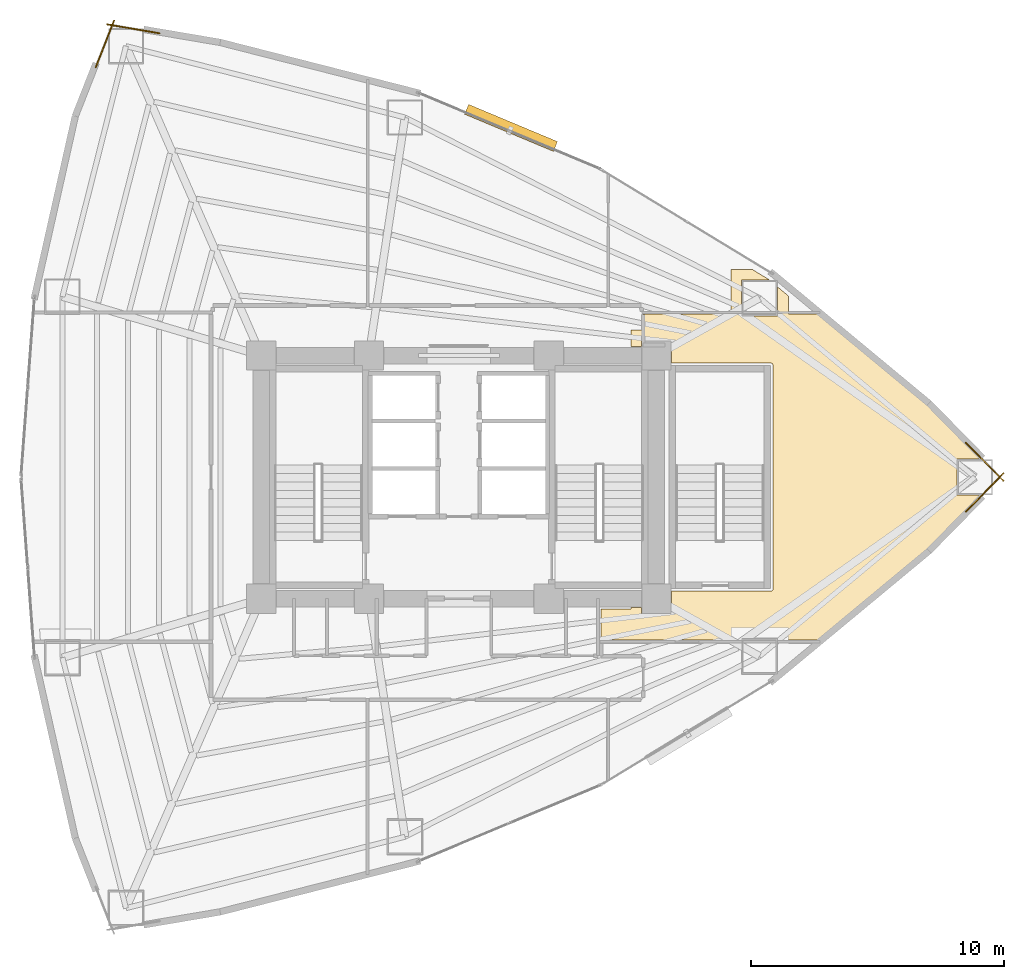
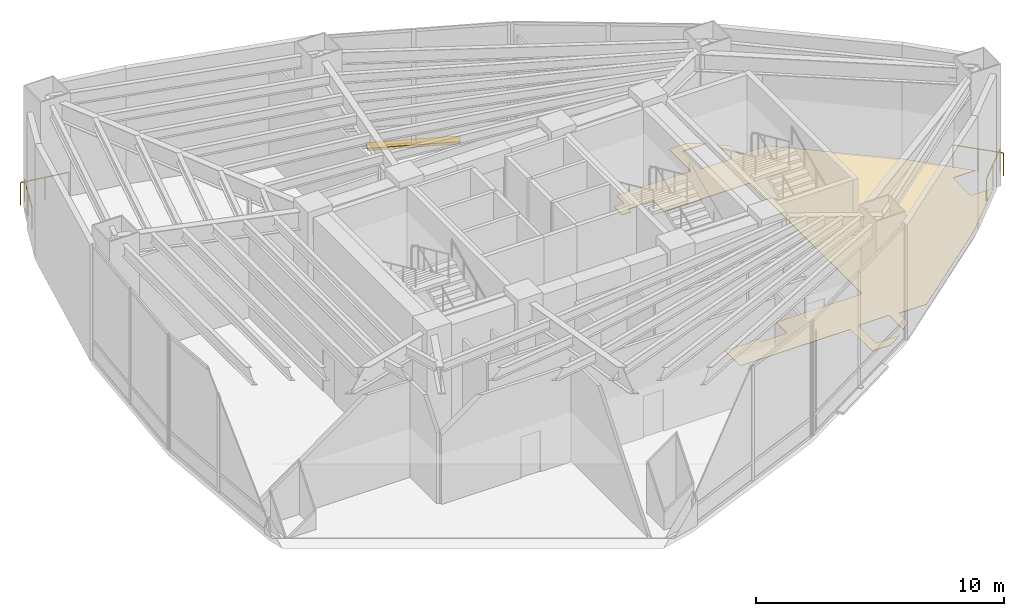
# One storey, part 19 of 19: 4 railings, 1 covering, 1 shading device.
"""IFC4 building model written with IfcOpenShell, lengths in metres."""

from ifc_helpers import new_model, si_unit, direction, frame, origin, origin_2d, place, context, subcontext, project, spatial, polyline, rectangle, circle, outline, extrude, material, layer, layer_set, type_object, element, save


model = new_model("IFC4")

# Units and contexts
model_context = context("Model", 3, precision=1e-05, world=origin(), true_north=direction((0.0, 1.0)))
body_context = subcontext(model_context, "Body", "Model", "MODEL_VIEW")
ifc_project = project(units=[si_unit("LENGTHUNIT", "METRE"), si_unit("AREAUNIT", "SQUARE_METRE"), si_unit("VOLUMEUNIT", "CUBIC_METRE"), si_unit("PLANEANGLEUNIT", "RADIAN"), si_unit("MASSUNIT", "GRAM", prefix="KILO")], contexts=[model_context])

# Site, building, storey
site_placement = place(None, origin())
site = spatial("IfcSite", under=ifc_project, at=site_placement, CompositionType="ELEMENT")
building_placement = place(site_placement, origin())
building = spatial("IfcBuilding", under=site, at=building_placement, Name="Menara Vayukalpa", CompositionType="ELEMENT")
storey_placement = place(building_placement, frame((0.0, 0.0, 12.0)))
storey = spatial("IfcBuildingStorey", under=building, at=storey_placement, Name="L02", CompositionType="ELEMENT", Elevation=12.0)

# Covering
ifc_material_1 = material(Name="Porcelain Stoneware Floor Tile", Category="masonry")
ifc_layer_1 = layer(ifc_material_1, 0.02001953125)
ifc_layer_set_1 = layer_set([ifc_layer_1], Name="Porcelain Stoneware Floor Tile")
covering_type = type_object("IfcCoveringType", Name="COV-FLR1", PredefinedType="FLOORING", material=ifc_layer_set_1)
covering_placement = place(storey_placement, origin())
element("IfcCovering", 1, at=covering_placement, inside=storey, type_object=covering_type, Name="L02 Podium Operations Support Suite Porcelain Flooring", PredefinedType="FLOORING", context=body_context, shape_type="SweptSolid", body=[
    extrude(outline(polyline([(31.218994140625, 15.56005859375), (31.218017578125, 15.560302734375), (31.217041015625, 15.560302734375), (31.21630859375, 15.560791015625), (31.21533203125, 15.561279296875), (31.21435546875, 15.561767578125), (31.213623046875, 15.562255859375), (31.212890625, 15.56298828125), (31.21240234375, 15.563720703125), (31.211669921875, 15.564453125), (31.211181640625, 15.565185546875), (31.210693359375, 15.566162109375), (31.21044921875, 15.567138671875), (31.210205078125, 15.568115234375), (31.2099609375, 15.569091796875), (31.2099609375, 15.570068359375), (31.2099609375, 16.780029296875), (31.2099609375, 16.781005859375), (31.210205078125, 16.781982421875), (31.21044921875, 16.782958984375), (31.210693359375, 16.78369140625), (31.211181640625, 16.78466796875), (31.211669921875, 16.78564453125), (31.21240234375, 16.786376953125), (31.212890625, 16.787109375), (31.213623046875, 16.78759765625), (31.21435546875, 16.788330078125), (31.21533203125, 16.788818359375), (31.21630859375, 16.789306640625), (31.217041015625, 16.78955078125), (31.218017578125, 16.789794921875), (31.218994140625, 16.7900390625), (31.219970703125, 16.7900390625), (32.389892578125, 16.7900390625), (32.389892578125, 16.85009765625), (32.81005859375, 16.85009765625), (32.81005859375, 16.610107421875), (33.989990234375, 16.610107421875), (33.989990234375, 17.5), (37.9296875, 17.5), (37.936767578125, 17.50048828125), (37.943603515625, 17.501220703125), (37.9501953125, 17.5029296875), (37.956787109375, 17.50537109375), (37.962890625, 17.50830078125), (37.96875, 17.51171875), (37.974609375, 17.51611328125), (37.9794921875, 17.5205078125), (37.98388671875, 17.525390625), (37.98828125, 17.53125), (37.99169921875, 17.537109375), (37.99462890625, 17.543212890625), (37.9970703125, 17.5498046875), (37.998779296875, 17.556396484375), (37.99951171875, 17.563232421875), (38.0, 17.5703125), (38.0, 26.4296875), (37.99951171875, 26.436767578125), (37.998779296875, 26.443603515625), (37.9970703125, 26.4501953125), (37.99462890625, 26.456787109375), (37.99169921875, 26.462890625), (37.98828125, 26.46875), (37.98388671875, 26.474609375), (37.9794921875, 26.4794921875), (37.974609375, 26.48388671875), (37.96875, 26.48828125), (37.962890625, 26.49169921875), (37.956787109375, 26.49462890625), (37.9501953125, 26.4970703125), (37.943603515625, 26.498779296875), (37.936767578125, 26.49951171875), (37.9296875, 26.5), (33.989990234375, 26.5), (33.989990234375, 27.389892578125), (32.81005859375, 27.389892578125), (32.81005859375, 27.14990234375), (32.389892578125, 27.14990234375), (32.389892578125, 27.81005859375), (32.8701171875, 27.81005859375), (32.8701171875, 28.429931640625), (32.8701171875, 28.430908203125), (32.8701171875, 28.431884765625), (32.870361328125, 28.432861328125), (32.870849609375, 28.433837890625), (32.87109375, 28.434814453125), (32.87158203125, 28.435546875), (32.872314453125, 28.436279296875), (32.872802734375, 28.43701171875), (32.873779296875, 28.437744140625), (32.87451171875, 28.438232421875), (32.875244140625, 28.438720703125), (32.876220703125, 28.439208984375), (32.877197265625, 28.439697265625), (32.8779296875, 28.439697265625), (32.87890625, 28.43994140625), (32.8798828125, 28.43994140625), (36.339111328125, 28.43994140625), (36.339111328125, 30.205810546875), (37.17919921875, 30.205810546875), (37.810302734375, 29.822509765625), (37.8544921875, 29.785888671875), (36.759033203125, 29.785888671875), (36.759033203125, 28.35595703125), (38.18896484375, 28.35595703125), (38.18896484375, 29.50830078125), (38.60888671875, 29.16015625), (38.60888671875, 28.43994140625), (39.859130859375, 28.43994140625), (39.864990234375, 28.440185546875), (39.870849609375, 28.441162109375), (39.876708984375, 28.442626953125), (39.882080078125, 28.444580078125), (39.884521484375, 28.445556640625), (39.88525390625, 28.446044921875), (39.885986328125, 28.4462890625), (39.88720703125, 28.446533203125), (39.887939453125, 28.446533203125), (39.888916015625, 28.446533203125), (39.889892578125, 28.446533203125), (39.890869140625, 28.4462890625), (39.891845703125, 28.446044921875), (39.892578125, 28.44580078125), (39.8935546875, 28.4453125), (39.894287109375, 28.44482421875), (39.89501953125, 28.4443359375), (44.1630859375, 24.90478515625), (44.163818359375, 24.904052734375), (46.313232421875, 22.715087890625), (45.26416015625, 22.715087890625), (45.26416015625, 21.284912109375), (46.313232421875, 21.284912109375), (44.163818359375, 19.095947265625), (44.1630859375, 19.09521484375), (39.89501953125, 15.5556640625), (39.894287109375, 15.55517578125), (39.8935546875, 15.5546875), (39.892578125, 15.55419921875), (39.891845703125, 15.553955078125), (39.890869140625, 15.5537109375), (39.889892578125, 15.553466796875), (39.888916015625, 15.553466796875), (39.887939453125, 15.553466796875), (39.88720703125, 15.553466796875), (39.885986328125, 15.5537109375), (39.88525390625, 15.553955078125), (39.884521484375, 15.554443359375), (39.882080078125, 15.555419921875), (39.876708984375, 15.557373046875), (39.870849609375, 15.558837890625), (39.864990234375, 15.559814453125), (39.859130859375, 15.56005859375), (38.60888671875, 15.56005859375), (38.60888671875, 14.83984375), (38.18896484375, 14.49169921875), (38.18896484375, 15.64404296875), (36.759033203125, 15.64404296875), (36.759033203125, 14.214111328125), (37.8544921875, 14.214111328125), (37.810302734375, 14.177490234375), (37.17919921875, 13.794189453125), (36.339111328125, 13.794189453125), (36.339111328125, 15.56005859375), (31.219970703125, 15.56005859375), (31.218994140625, 15.56005859375)])), origin(), (0.0, 0.0, 1.0), 0.02001953125),
])

# Railings
ifc_material_2 = material(Name="Laminated Glass and Stainless Steel 316 Guardrail", Category="steel")
railing_type = type_object("IfcRailingType", Name="RLG-EXT115", PredefinedType="GUARDRAIL", material=ifc_material_2)
railing_1_placement = place(storey_placement, frame((45.62353515625, 20.6396484375, 0.0)))
element("IfcRailing", 2, at=railing_1_placement, inside=storey, type_object=railing_type, Name="L02 Column Corner Spandrel Guardrail 01-1", PredefinedType="GUARDRAIL", context=body_context, shape_type="SweptSolid", body=[
    extrude(circle(Radius=0.02392578125, at=origin_2d()), frame((0.0, 0.0, 1.1259765625), z_axis=(0.700614652117, 0.713539844184, 0.0), x_axis=(-0.713539844184, 0.700614652117, 0.0)), (0.0, 0.0, 1.0), 2.115478515625),
    extrude(circle(Radius=0.02099609375, at=origin_2d()), origin(), (0.0, 0.0, 1.0), 1.101806640625),
    extrude(circle(Radius=0.02099609375, at=origin_2d()), frame((0.7412109375, 0.7548828125, 0.0)), (0.0, 0.0, 1.0), 1.101806640625),
    extrude(circle(Radius=0.02099609375, at=origin_2d()), frame((1.482177734375, 1.509521484375, 0.0)), (0.0, 0.0, 1.0), 1.101806640625),
])
railing_2_placement = place(storey_placement, frame((47.105712890625, 21.850830078125, 0.0)))
element("IfcRailing", 3, at=railing_2_placement, inside=storey, type_object=railing_type, Name="L02 Column Corner Spandrel Guardrail 02-1", PredefinedType="GUARDRAIL", context=body_context, shape_type="SweptSolid", body=[
    extrude(circle(Radius=0.02392578125, at=origin_2d()), frame((0.0, 0.0, 1.1259765625), z_axis=(-0.700614652117, 0.713539844184, 0.0), x_axis=(-0.713539844184, -0.700614652117, 0.0)), (0.0, 0.0, 1.0), 2.115478515625),
    extrude(circle(Radius=0.02099609375, at=origin_2d()), origin(), (0.0, 0.0, 1.0), 1.101806640625),
    extrude(circle(Radius=0.02099609375, at=origin_2d()), frame((-0.7412109375, 0.7548828125, 0.0)), (0.0, 0.0, 1.0), 1.101806640625),
    extrude(circle(Radius=0.02099609375, at=origin_2d()), frame((-1.482177734375, 1.509521484375, 0.0)), (0.0, 0.0, 1.0), 1.101806640625),
])
railing_3_placement = place(storey_placement, frame((13.78369140625, 39.524658203125, 0.0)))
element("IfcRailing", 4, at=railing_3_placement, inside=storey, type_object=railing_type, Name="L02 Column Corner Spandrel Guardrail 07-1", PredefinedType="GUARDRAIL", context=body_context, shape_type="SweptSolid", body=[
    extrude(circle(Radius=0.02392578125, at=origin_2d()), frame((0.0, 0.0, 1.1259765625), z_axis=(-0.985904350491, 0.167309927029, 0.0), x_axis=(-0.167309927029, -0.985904350491, 0.0)), (0.0, 0.0, 1.0), 2.093994140625),
    extrude(circle(Radius=0.02099609375, at=origin_2d()), origin(), (0.0, 0.0, 1.0), 1.101806640625),
    extrude(circle(Radius=0.02099609375, at=origin_2d()), frame((-1.0322265625, 0.17529296875, 0.0)), (0.0, 0.0, 1.0), 1.101806640625),
    extrude(circle(Radius=0.02099609375, at=origin_2d()), frame((-2.064453125, 0.350341796875, 0.0)), (0.0, 0.0, 1.0), 1.101806640625),
])
railing_4_placement = place(storey_placement, frame((11.990478515625, 40.028076171875, 0.0)))
element("IfcRailing", 5, at=railing_4_placement, inside=storey, type_object=railing_type, Name="L02 Column Corner Spandrel Guardrail 08-1", PredefinedType="GUARDRAIL", context=body_context, shape_type="SweptSolid", body=[
    extrude(circle(Radius=0.02392578125, at=origin_2d()), frame((0.0, 0.0, 1.1259765625), z_axis=(-0.365580158762, -0.930779859859, 0.0), x_axis=(0.930779859859, -0.365580158762, 0.0)), (0.0, 0.0, 1.0), 1.9873046875),
    extrude(circle(Radius=0.02099609375, at=origin_2d()), origin(), (0.0, 0.0, 1.0), 1.101806640625),
    extrude(circle(Radius=0.02099609375, at=origin_2d()), frame((-0.36328125, -0.9248046875, 0.0)), (0.0, 0.0, 1.0), 1.101806640625),
    extrude(circle(Radius=0.02099609375, at=origin_2d()), frame((-0.7265625, -1.849853515625, 0.0)), (0.0, 0.0, 1.0), 1.101806640625),
])

# Shading device
ifc_material_3 = material(Name="Glazed Terracotta Ceramic Baguette Extrusion", Category="masonry")
ifc_layer_2 = layer(ifc_material_3, 0.1201171875)
ifc_layer_set_2 = layer_set([ifc_layer_2], Name="Glazed Terracotta Ceramic Baguette Extrusion")
shading_device_type = type_object("IfcShadingDeviceType", Name="SHD-SS1", PredefinedType="USERDEFINED", material=ifc_layer_set_2)
shading_device_placement = place(storey_placement, frame((27.662109375, 35.789306640625, -0.10009765625), z_axis=(0.0, 0.0, 1.0), x_axis=(-0.922544824647, 0.385889940938, 0.0)))
element("IfcShadingDevice", 6, at=shading_device_placement, inside=storey, type_object=shading_device_type, Name="L02 Horizontal Terracotta Sunshade Band 05", ObjectType="SUNSHADE", PredefinedType="USERDEFINED", context=body_context, shape_type="SweptSolid", body=[
    extrude(rectangle(XDim=3.800048828125, YDim=0.419921875, at=origin_2d()), origin(), (0.0, 0.0, 1.0), 0.1201171875),
])

save(model, "model.ifc")
